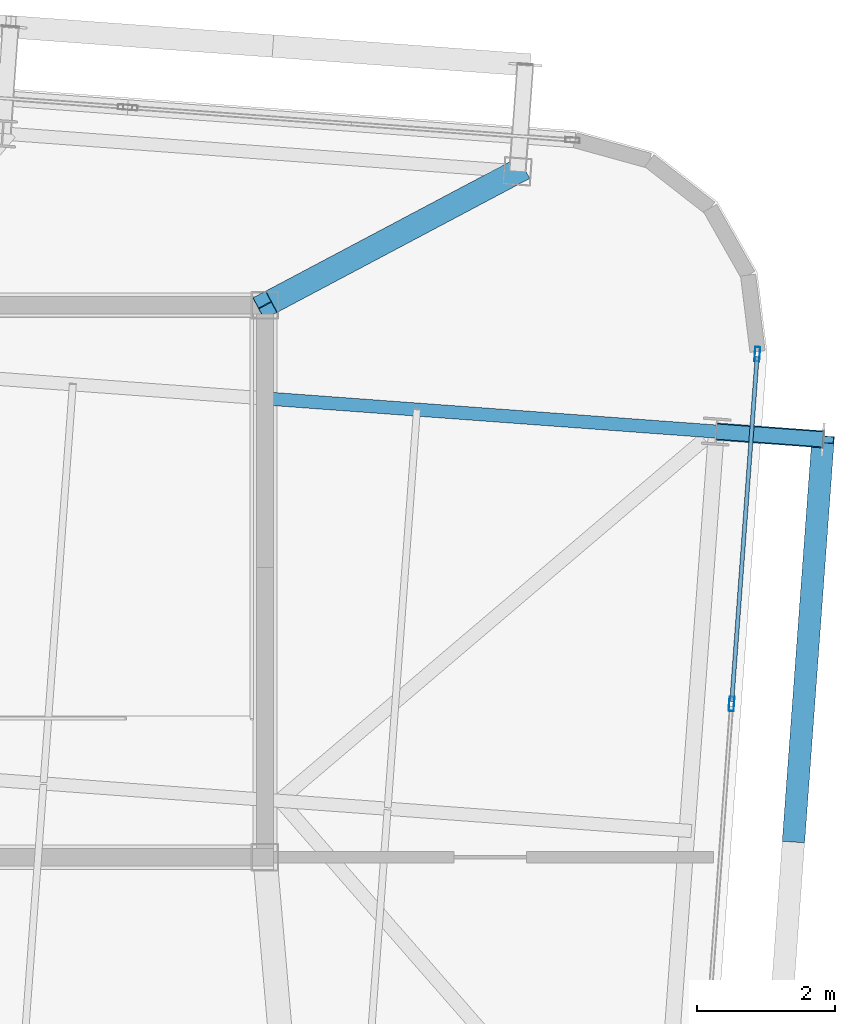
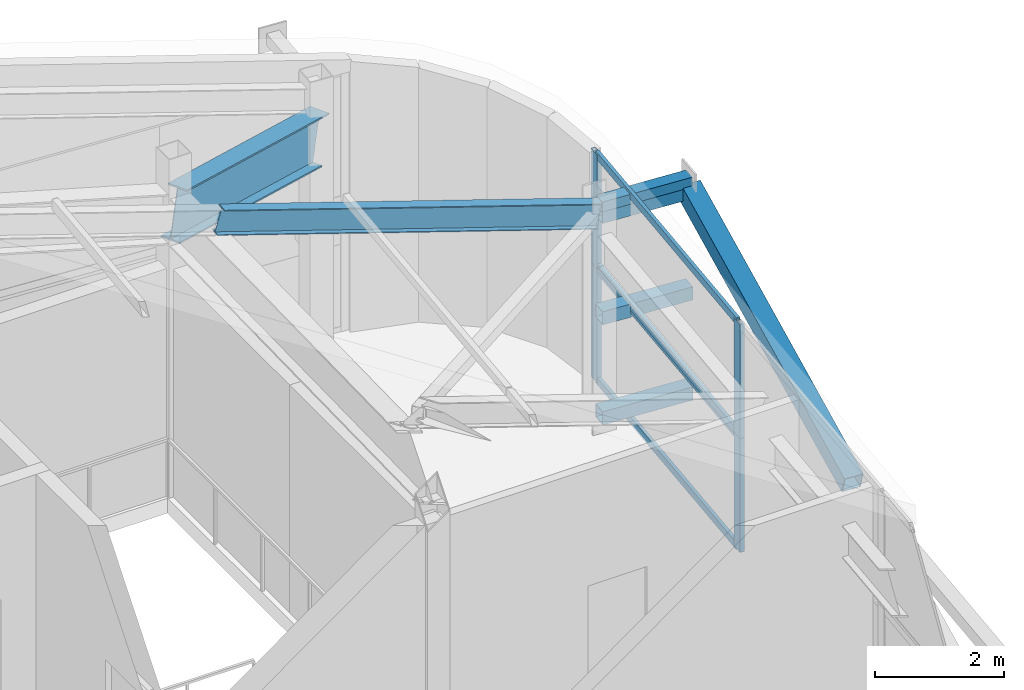
# One storey, part 25 of 56: 14 members, 1 beam, 2 elements without a shape of their own.
"""IFC4 building model written with IfcOpenShell, lengths in metres."""

from ifc_helpers import new_model, si_unit, direction, frame, origin, origin_2d, place, context, subcontext, project, spatial, hollow_rectangle, i_section, extrude, source, transform, mapped, material, layer, layer_set, material_profile, profile_set, type_object, element, aggregate, save


model = new_model("IFC4")

# Units and contexts
model_context = context("Model", 3, precision=1e-05, world=origin(), true_north=direction((0.0, 1.0)))
body_context = subcontext(model_context, "Body", "Model", "MODEL_VIEW")
ifc_project = project(units=[si_unit("LENGTHUNIT", "METRE"), si_unit("AREAUNIT", "SQUARE_METRE"), si_unit("VOLUMEUNIT", "CUBIC_METRE"), si_unit("PLANEANGLEUNIT", "RADIAN"), si_unit("MASSUNIT", "GRAM", prefix="KILO")], contexts=[model_context])

# Site, building, storey
site_placement = place(None, origin())
site = spatial("IfcSite", under=ifc_project, at=site_placement, CompositionType="ELEMENT")
building_placement = place(site_placement, origin())
building = spatial("IfcBuilding", under=site, at=building_placement, Name="Taldren Reach Tower", CompositionType="ELEMENT")
storey_placement = place(building_placement, frame((0.0, 0.0, 253.050048828125)))
storey = spatial("IfcBuildingStorey", under=building, at=storey_placement, Name="L77", CompositionType="ELEMENT", Elevation=253.050048828125)

# Members
ifc_material_1 = material(Name="Steel Gr 350 (C350L0)", Category="steel")
ifc_material_profile_1 = material_profile(ifc_material_1, hollow_rectangle(XDim=0.25, YDim=0.25, WallThickness=0.010009765625, at=origin_2d()), Name="250x250x10.0SHS")
ifc_profile_set_1 = profile_set([ifc_material_profile_1], Name="Steel Gr 350 (C350L0)")
member_type_1 = type_object("IfcMemberType", Name="MB-POST250", PredefinedType="POST", material=ifc_profile_set_1)
shared_shape_1 = source(origin(), body_context, "Body", "SweptSolid", [
    extrude(hollow_rectangle(XDim=0.25, YDim=0.25, WallThickness=0.010009765625, at=origin_2d()), origin(), (0.0, 0.0, 1.0), 1.550048828125),
])
for number, where, z_axis, x_axis, name in (
    (1, (57.540771484375, 30.168701171875, 0.219970703125), (0.997314396849, -0.07323929162, 0.0), (0.07323929162, 0.997314396849, 0.0), "Exoskeleton base diaphragm tie strut B5-E3 L77"),
    (2, (57.540771484375, 30.168701171875, 2.10986328125), (0.997314396849, -0.07323929162, 0.0), (0.07323929162, 0.997314396849, 0.0), "Exoskeleton mid-tier diaphragm tie B5-E3 L77"),
):
    element("IfcMember", number, at=place(storey_placement, frame(where, z_axis=z_axis, x_axis=x_axis)), inside=storey, type_object=member_type_1, Name=name, PredefinedType="POST", context=body_context, shape_type="MappedRepresentation", body=[
        mapped(shared_shape_1, transform((0.0, 0.0, 0.0), scale=1.0)),
    ])
ifc_material_2 = material(Name="Steel Gr 450 (C450L0)", Category="steel")
ifc_material_profile_2 = material_profile(ifc_material_2, hollow_rectangle(XDim=0.219970703125, YDim=0.219970703125, WallThickness=0.00830078125, at=origin_2d()), Name="220x220x8.2SHS")
ifc_profile_set_2 = profile_set([ifc_material_profile_2], Name="Steel Gr 450 (C450L0)")
member_type_2 = type_object("IfcMemberType", Name="MB-TIE219", PredefinedType="STRUT", material=ifc_profile_set_2)
shared_shape_2 = source(origin(), body_context, "Body", "SweptSolid", [
    extrude(hollow_rectangle(XDim=0.219970703125, YDim=0.219970703125, WallThickness=0.00830078125, at=origin_2d()), origin(), (0.0, 0.0, 1.0), 1.550048828125),
])
for number, where, z_axis, x_axis, name in (
    (3, (57.540771484375, 30.168701171875, 4.186279296875), (0.997314396849, -0.07323929162, 0.0), (0.07323929162, 0.997314396849, 0.0), "Exoskeleton diaphragm tie strut B5-E3 L77"),
    (4, (57.540771484375, 30.168701171875, 4.0), (0.997314396849, -0.07323929162, 0.0), (0.07323929162, 0.997314396849, 0.0), "Crown exoskeleton mid-tier tie strut B5-E3"),
):
    element("IfcMember", number, at=place(storey_placement, frame(where, z_axis=z_axis, x_axis=x_axis)), inside=storey, type_object=member_type_2, Name=name, PredefinedType="STRUT", context=body_context, shape_type="MappedRepresentation", body=[
        mapped(shared_shape_2, transform((0.0, 0.0, 0.0), scale=1.0)),
    ])

# Beam
ifc_material_3 = material(Name="Steel Gr 350 (350PLUS)", Category="steel")
ifc_material_profile_3 = material_profile(ifc_material_3, i_section(OverallWidth=0.35009765625, OverallDepth=0.916015625, WebThickness=0.013916015625, FlangeThickness=0.028076171875, at=origin_2d()), Name="900WB257")
ifc_profile_set_3 = profile_set([ifc_material_profile_3], Name="Steel Gr 350 (350PLUS)")
beam_type = type_object("IfcBeamType", Name="BM-WB900", PredefinedType="BEAM", material=ifc_profile_set_3)
shared_shape_3 = source(origin(), body_context, "Body", "SweptSolid", [
    extrude(i_section(OverallWidth=0.35009765625, OverallDepth=0.916015625, WebThickness=0.013916015625, FlangeThickness=0.028076171875, at=origin_2d()), origin(), (0.0, 0.0, 1.0), 4.261962890625),
])
beam_placement = place(storey_placement, frame((51.0, 32.0, 5.193115234375), z_axis=(0.858618101389, 0.455115138804, -0.235892277105), x_axis=(-0.468331832965, 0.883552655042, 0.0)))
element("IfcBeam", 5, at=beam_placement, inside=storey, type_object=beam_type, Name="Crown transverse portal girder PF6-4", PredefinedType="BEAM", context=body_context, shape_type="MappedRepresentation", body=[
    mapped(shared_shape_3, transform((0.0, 0.0, 0.0), scale=1.0)),
])

# Members
ifc_material_profile_4 = material_profile(ifc_material_3, i_section(OverallWidth=0.19091796875, OverallDepth=0.4599609375, WebThickness=0.010009765625, FlangeThickness=0.01611328125, at=origin_2d()), Name="460UB82.1")
ifc_profile_set_4 = profile_set([ifc_material_profile_4], Name="Steel Gr 350 (350PLUS)")
member_type_3 = type_object("IfcMemberType", Name="MB-RAF460", PredefinedType="RAFTER", material=ifc_profile_set_4)
shared_shape_4 = source(origin(), body_context, "Body", "SweptSolid", [
    extrude(i_section(OverallWidth=0.19091796875, OverallDepth=0.4599609375, WebThickness=0.010009765625, FlangeThickness=0.01611328125, at=origin_2d()), origin(), (0.0, 0.0, 1.0), 6.806884765625),
])
member_1_placement = place(storey_placement, frame((57.540771484375, 30.168701171875, 4.011962890625), z_axis=(-0.958704658832, 0.070369567551, 0.27556034021), x_axis=(-0.073203739908, -0.997317007006, 0.0)))
element("IfcMember", 6, at=member_1_placement, inside=storey, type_object=member_type_3, Name="Crown sloped rafter RF-5.1", PredefinedType="RAFTER", context=body_context, shape_type="MappedRepresentation", body=[
    mapped(shared_shape_4, transform((0.0, 0.0, 0.0), scale=1.0)),
])
ifc_material_profile_5 = material_profile(ifc_material_2, hollow_rectangle(XDim=0.324951171875, YDim=0.324951171875, WallThickness=0.0126953125, at=origin_2d()), Name="325x325x12.7SHS")
ifc_profile_set_5 = profile_set([ifc_material_profile_5], Name="Steel Gr 450 (C450L0)")
member_type_4 = type_object("IfcMemberType", Name="MB-BR324", PredefinedType="BRACE", material=ifc_profile_set_5)
shared_shape_5 = source(origin(), body_context, "Body", "SweptSolid", [
    extrude(hollow_rectangle(XDim=0.324951171875, YDim=0.324951171875, WallThickness=0.0126953125, at=origin_2d()), origin(), (0.0, 0.0, 1.0), 6.10009765625),
])
member_2_placement = place(storey_placement, frame((58.661865234375, 24.270751953125, 2.10986328125), z_axis=(0.069637647208, 0.948232629478, 0.309847508438), x_axis=(-0.997314185625, 0.073242167855, 0.0)))
element("IfcMember", 7, at=member_2_placement, inside=storey, type_object=member_type_4, Name="Exoskeleton Diagrid Brace B5-E2 L77", PredefinedType="BRACE", context=body_context, shape_type="MappedRepresentation", body=[
    mapped(shared_shape_5, transform((0.0, 0.0, 0.0), scale=1.0)),
])

# Curtain wall, members
ifc_material_4 = material(Name="Aluminium and Low-E Glass Unitised System", Category="aluminium")
ifc_layer = layer(ifc_material_4, 0.159912109375)
ifc_layer_set = layer_set([ifc_layer], Name="Aluminium and Low-E Glass Unitised System")
curtain_wall_type = type_object("IfcCurtainWallType", Name="CW-SYS-8", PredefinedType="NOTDEFINED", material=ifc_layer_set)
curtain_wall_1_placement = place(storey_placement, origin())
curtain_wall_1 = element("IfcCurtainWall", 8, at=curtain_wall_1_placement, inside=storey, type_object=curtain_wall_type, Name="Unitised curtain wall CW8-L77-E", PredefinedType="NOTDEFINED")
ifc_material_5 = material(Name="Anodised Aluminium 6063-T6", Category="aluminium")
ifc_material_profile_6 = material_profile(ifc_material_5, hollow_rectangle(XDim=0.074951171875, YDim=0.2099609375, WallThickness=0.00439453125, at=origin_2d()), Name="ALU-210x75x4.5RHS")
ifc_profile_set_6 = profile_set([ifc_material_profile_6], Name="Anodised Aluminium 6063-T6")
member_type_5 = type_object("IfcMemberType", Name="CW-MUL-200", PredefinedType="MULLION", material=ifc_profile_set_6)
shared_shape_6 = source(origin(), body_context, "Body", "SweptSolid", [
    extrude(hollow_rectangle(XDim=0.074951171875, YDim=0.2099609375, WallThickness=0.00439453125, at=origin_2d()), origin(), (0.0, 0.0, 1.0), 2.152587890625),
])
member_3_placement = place(storey_placement, frame((57.762451171875, 26.2216796875, 0.0), z_axis=(0.0, 0.0, 1.0), x_axis=(-0.997314470951, 0.073238282558, 0.0)))
member_3 = element("IfcMember", 9, at=member_3_placement, type_object=member_type_5, Name="CW-8 mullion 5", PredefinedType="MULLION", context=body_context, shape_type="MappedRepresentation", body=[
    mapped(shared_shape_6, transform((0.0, 0.0, 0.0), scale=1.0)),
])
member_4_placement = place(storey_placement, frame((58.134765625, 31.29052734375, 0.0), z_axis=(0.0, 0.0, 1.0), x_axis=(-0.997314470951, 0.073238282558, 0.0)))
member_4 = element("IfcMember", 10, at=member_4_placement, type_object=member_type_5, Name="CW-8 mullion 6", PredefinedType="MULLION", context=body_context, shape_type="MappedRepresentation", body=[
    mapped(shared_shape_6, transform((0.0, 0.0, 0.0), scale=1.0)),
])
ifc_material_profile_7 = material_profile(ifc_material_5, hollow_rectangle(XDim=0.06005859375, YDim=0.135009765625, WallThickness=0.00341796875, at=origin_2d()), Name="ALU-135x60x3.5RHS")
ifc_profile_set_7 = profile_set([ifc_material_profile_7], Name="Anodised Aluminium 6063-T6")
member_type_6 = type_object("IfcMemberType", Name="CW-TRN-150", PredefinedType="USERDEFINED", material=ifc_profile_set_7)
shared_shape_7 = source(origin(), body_context, "Body", "SweptSolid", [
    extrude(hollow_rectangle(XDim=0.06005859375, YDim=0.135009765625, WallThickness=0.00341796875, at=origin_2d()), origin(), (0.0, 0.0, 1.0), 5.00732421875),
])
member_5_placement = place(storey_placement, frame((57.76513671875, 26.25927734375, 0.030029296875), z_axis=(0.073232314525, 0.997314909198, 0.0), x_axis=(-0.997314909198, 0.073232314525, 0.0)))
member_5 = element("IfcMember", 11, at=member_5_placement, type_object=member_type_6, Name="CW-8 transom 5.1", ObjectType="TRANSOM", PredefinedType="USERDEFINED", context=body_context, shape_type="MappedRepresentation", body=[
    mapped(shared_shape_7, transform((0.0, 0.0, 0.0), scale=1.0)),
])
member_6_placement = place(storey_placement, frame((57.76513671875, 26.25927734375, 2.12255859375), z_axis=(0.073232314525, 0.997314909198, 0.0), x_axis=(-0.997314909198, 0.073232314525, 0.0)))
member_6 = element("IfcMember", 12, at=member_6_placement, type_object=member_type_6, Name="CW-8 transom 5.2", ObjectType="TRANSOM", PredefinedType="USERDEFINED", context=body_context, shape_type="MappedRepresentation", body=[
    mapped(shared_shape_7, transform((0.0, 0.0, 0.0), scale=1.0)),
])
aggregate(curtain_wall_1, [member_3, member_4, member_5, member_6])

curtain_wall_2_placement = place(storey_placement, origin())
curtain_wall_2 = element("IfcCurtainWall", 13, at=curtain_wall_2_placement, inside=storey, type_object=curtain_wall_type, Name="Unitised curtain wall CW8-L77-E-T2", PredefinedType="NOTDEFINED")
member_7_placement = place(storey_placement, frame((57.76513671875, 26.25927734375, 2.1826171875), z_axis=(0.073232314525, 0.997314909198, 0.0), x_axis=(-0.997314909198, 0.073232314525, 0.0)))
member_7 = element("IfcMember", 14, at=member_7_placement, type_object=member_type_6, Name="CW-8 transom 5.1", ObjectType="TRANSOM", PredefinedType="USERDEFINED", context=body_context, shape_type="MappedRepresentation", body=[
    mapped(shared_shape_7, transform((0.0, 0.0, 0.0), scale=1.0)),
])
member_8_placement = place(storey_placement, frame((57.76513671875, 26.25927734375, 4.275146484375), z_axis=(0.073232314525, 0.997314909198, 0.0), x_axis=(-0.997314909198, 0.073232314525, 0.0)))
member_8 = element("IfcMember", 15, at=member_8_placement, type_object=member_type_6, Name="CW-8 transom 5.2", ObjectType="TRANSOM", PredefinedType="USERDEFINED", context=body_context, shape_type="MappedRepresentation", body=[
    mapped(shared_shape_7, transform((0.0, 0.0, 0.0), scale=1.0)),
])
shared_shape_8 = source(origin(), body_context, "Body", "SweptSolid", [
    extrude(hollow_rectangle(XDim=0.074951171875, YDim=0.2099609375, WallThickness=0.00439453125, at=origin_2d()), origin(), (0.0, 0.0, 1.0), 2.15234375),
])
member_9_placement = place(storey_placement, frame((57.762451171875, 26.2216796875, 2.152587890625), z_axis=(0.0, 0.0, 1.0), x_axis=(-0.997314470951, 0.073238282558, 0.0)))
member_9 = element("IfcMember", 16, at=member_9_placement, type_object=member_type_5, Name="CW-8 mullion 5", PredefinedType="MULLION", context=body_context, shape_type="MappedRepresentation", body=[
    mapped(shared_shape_8, transform((0.0, 0.0, 0.0), scale=1.0)),
])
member_10_placement = place(storey_placement, frame((58.134765625, 31.29052734375, 2.152587890625), z_axis=(0.0, 0.0, 1.0), x_axis=(-0.997314470951, 0.073238282558, 0.0)))
member_10 = element("IfcMember", 17, at=member_10_placement, type_object=member_type_5, Name="CW-8 mullion 6", PredefinedType="MULLION", context=body_context, shape_type="MappedRepresentation", body=[
    mapped(shared_shape_8, transform((0.0, 0.0, 0.0), scale=1.0)),
])
aggregate(curtain_wall_2, [member_9, member_10, member_7, member_8])

save(model, "model.ifc")
